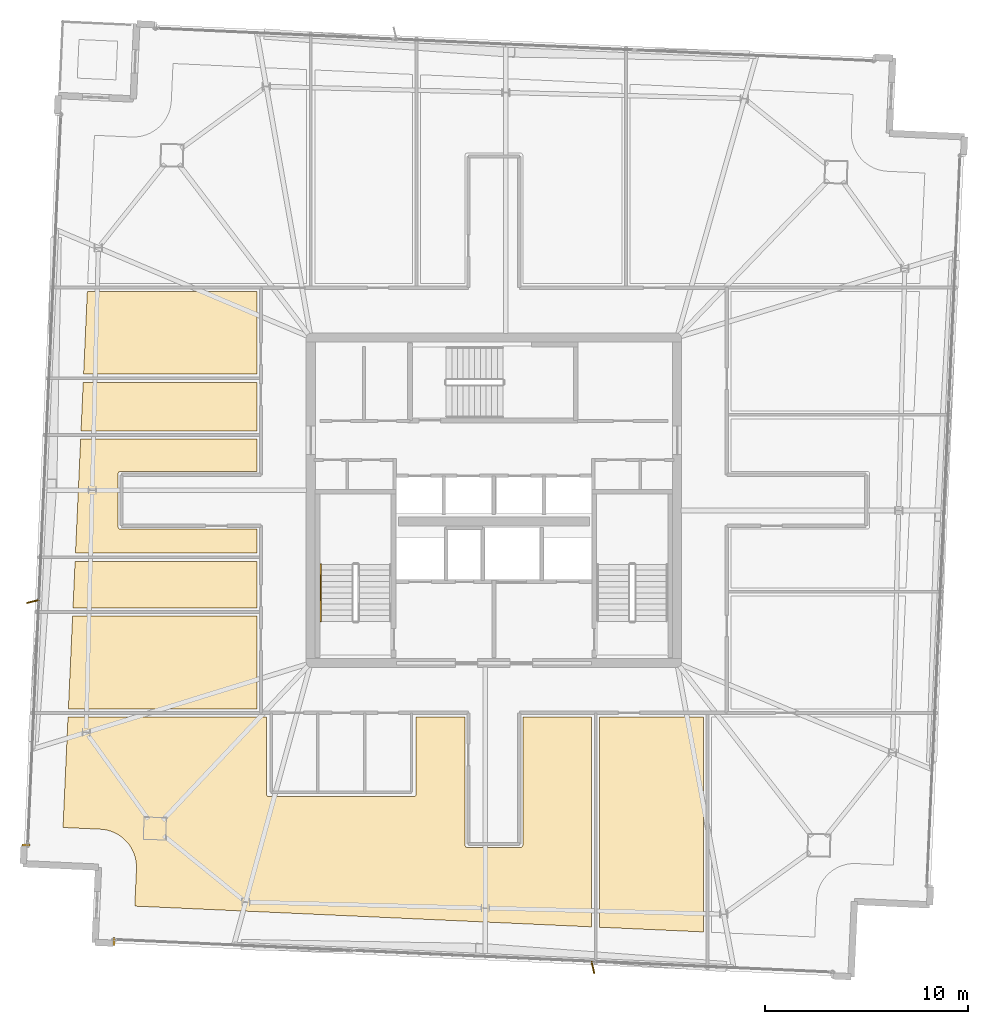
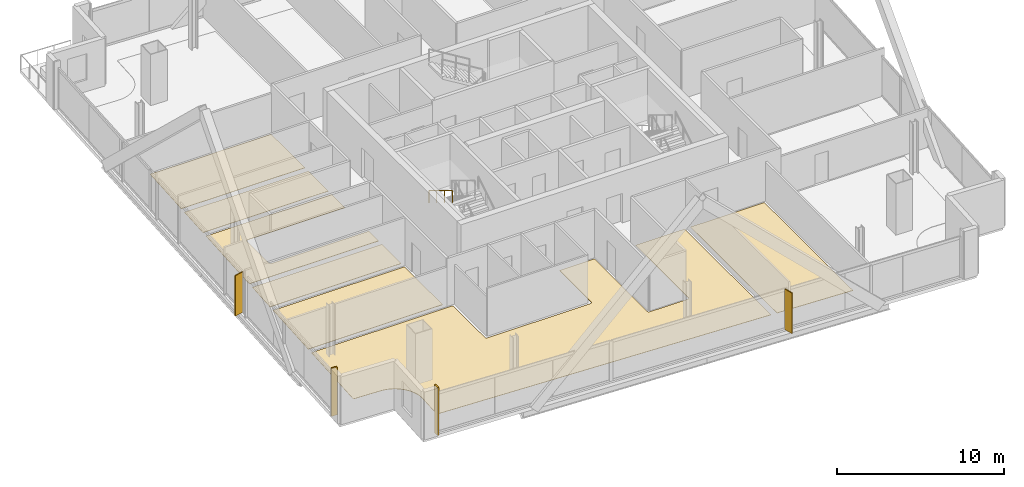
# One storey, part 24 of 26: 9 coverings, 2 shading devices, 1 railing.
"""IFC4 building model written with IfcOpenShell, lengths in metres."""

from ifc_helpers import new_model, si_unit, direction, frame, origin, origin_2d, place, context, subcontext, project, spatial, polyline, rectangle, outline, extrude, source, transform, mapped, material, layer, layer_set, type_object, element, save


model = new_model("IFC4")

# Units and contexts
model_context = context("Model", 3, precision=1e-05, world=origin(), true_north=direction((0.0, 1.0)))
body_context = subcontext(model_context, "Body", "Model", "MODEL_VIEW")
ifc_project = project(units=[si_unit("LENGTHUNIT", "METRE"), si_unit("AREAUNIT", "SQUARE_METRE"), si_unit("VOLUMEUNIT", "CUBIC_METRE"), si_unit("PLANEANGLEUNIT", "RADIAN"), si_unit("MASSUNIT", "GRAM", prefix="KILO")], contexts=[model_context])

# Site, building, storey
site_placement = place(None, origin())
site = spatial("IfcSite", under=ifc_project, at=site_placement, CompositionType="ELEMENT")
building_placement = place(site_placement, origin())
building = spatial("IfcBuilding", under=site, at=building_placement, Name="Haldenkirk Collegiate Tower", CompositionType="ELEMENT")
storey_placement = place(building_placement, frame((0.0, 0.0, 321.449951171875)))
storey = spatial("IfcBuildingStorey", under=building, at=storey_placement, Name="L81", CompositionType="ELEMENT", Elevation=321.449951171875)

# Coverings
ifc_material_1 = material(Name="Polished collegiate terrazzo", Category="concrete")
ifc_layer_1 = layer(ifc_material_1, 0.02490234375)
ifc_layer_set_1 = layer_set([ifc_layer_1], Name="Polished collegiate terrazzo")
covering_type_1 = type_object("IfcCoveringType", Name="COV-FLOOR-TERRAZZO", PredefinedType="FLOORING", material=ifc_layer_set_1)
covering_1_placement = place(storey_placement, origin())
element("IfcCovering", 1, at=covering_1_placement, inside=storey, type_object=covering_type_1, Name="L81 academic room finish 02", PredefinedType="FLOORING", context=body_context, shape_type="SweptSolid", body=[
    extrude(outline(polyline([(41.199951171875, 5.012451171875), (41.199951171875, 15.35009765625), (46.300048828125, 15.35009765625), (46.300048828125, 4.781005859375), (41.199951171875, 5.012451171875)])), origin(), (0.0, 0.0, 1.0), 0.025146484375),
])
covering_2_placement = place(storey_placement, origin())
element("IfcCovering", 2, at=covering_2_placement, inside=storey, type_object=covering_type_1, Name="L81 academic room finish 08", PredefinedType="FLOORING", context=body_context, shape_type="SweptSolid", body=[
    extrude(outline(polyline([(15.2900390625, 20.300048828125), (24.35009765625, 20.300048828125), (24.35009765625, 15.75), (15.08349609375, 15.75), (15.2900390625, 20.300048828125)])), origin(), (0.0, 0.0, 1.0), 0.025146484375),
])
covering_3_placement = place(storey_placement, origin())
element("IfcCovering", 3, at=covering_3_placement, inside=storey, type_object=covering_type_1, Name="L81 academic room finish 10", PredefinedType="FLOORING", context=body_context, shape_type="SweptSolid", body=[
    extrude(outline(polyline([(17.64990234375, 27.419921875), (17.63818359375, 27.41943359375), (17.626708984375, 27.417724609375), (17.615234375, 27.414794921875), (17.60400390625, 27.410888671875), (17.593505859375, 27.40576171875), (17.583251953125, 27.39990234375), (17.573974609375, 27.392822265625), (17.565185546875, 27.385009765625), (17.55712890625, 27.376220703125), (17.55029296875, 27.36669921875), (17.544189453125, 27.356689453125), (17.5390625, 27.345947265625), (17.53515625, 27.334716796875), (17.5322265625, 27.323486328125), (17.530517578125, 27.311767578125), (17.530029296875, 27.300048828125), (17.530029296875, 24.699951171875), (17.530517578125, 24.688232421875), (17.5322265625, 24.676513671875), (17.53515625, 24.665283203125), (17.5390625, 24.654052734375), (17.544189453125, 24.643310546875), (17.55029296875, 24.63330078125), (17.55712890625, 24.623779296875), (17.565185546875, 24.614990234375), (17.573974609375, 24.607177734375), (17.583251953125, 24.60009765625), (17.593505859375, 24.59423828125), (17.60400390625, 24.589111328125), (17.615234375, 24.585205078125), (17.626708984375, 24.582275390625), (17.63818359375, 24.58056640625), (17.64990234375, 24.580078125), (24.35009765625, 24.580078125), (24.35009765625, 23.39990234375), (15.430908203125, 23.39990234375), (15.685302734375, 29.0), (24.35009765625, 29.0), (24.35009765625, 27.419921875), (17.64990234375, 27.419921875)])), origin(), (0.0, 0.0, 1.0), 0.025146484375),
])
covering_4_placement = place(storey_placement, origin())
element("IfcCovering", 4, at=covering_4_placement, inside=storey, type_object=covering_type_1, Name="L81 academic room finish 12", PredefinedType="FLOORING", context=body_context, shape_type="SweptSolid", body=[
    extrude(outline(polyline([(16.014404296875, 36.25), (24.35009765625, 36.25), (24.35009765625, 32.199951171875), (15.83056640625, 32.199951171875), (16.014404296875, 36.25)])), origin(), (0.0, 0.0, 1.0), 0.025146484375),
])
ifc_material_2 = material(Name="Engineered collegiate oak acoustic flooring", Category="wood")
ifc_layer_2 = layer(ifc_material_2, 0.02197265625)
ifc_layer_set_2 = layer_set([ifc_layer_2], Name="Engineered collegiate oak acoustic flooring")
covering_type_2 = type_object("IfcCoveringType", Name="COV-FLOOR-TIMBER", PredefinedType="FLOORING", material=ifc_layer_set_2)
covering_5_placement = place(storey_placement, origin())
element("IfcCovering", 5, at=covering_5_placement, inside=storey, type_object=covering_type_2, Name="L81 academic room finish 01", PredefinedType="FLOORING", context=body_context, shape_type="SweptSolid", body=[
    extrude(outline(polyline([(18.3466796875, 6.05029296875), (18.429931640625, 7.87841796875), (18.429931640625, 7.88427734375), (18.429443359375, 8.055908203125), (18.4287109375, 8.067626953125), (18.411376953125, 8.238525390625), (18.409423828125, 8.250244140625), (18.37548828125, 8.41845703125), (18.37255859375, 8.429931640625), (18.322021484375, 8.593994140625), (18.318115234375, 8.60498046875), (18.251708984375, 8.763671875), (18.24658203125, 8.7744140625), (18.1650390625, 8.92529296875), (18.1591796875, 8.935302734375), (18.063232421875, 9.077880859375), (18.055908203125, 9.08740234375), (17.946533203125, 9.2197265625), (17.938720703125, 9.228515625), (17.816650390625, 9.349365234375), (17.80810546875, 9.357177734375), (17.6748046875, 9.4658203125), (17.665283203125, 9.472900390625), (17.522216796875, 9.567626953125), (17.51220703125, 9.573486328125), (17.3603515625, 9.65380859375), (17.349853515625, 9.658935546875), (17.19091796875, 9.72412109375), (17.1796875, 9.72802734375), (17.01513671875, 9.77734375), (17.003662109375, 9.780029296875), (16.835205078125, 9.81298828125), (16.823486328125, 9.814697265625), (16.652587890625, 9.830810546875), (16.646484375, 9.831298828125), (14.818603515625, 9.914306640625), (15.0654296875, 15.35009765625), (24.830078125, 15.35009765625), (24.830078125, 11.550048828125), (24.83056640625, 11.5380859375), (24.832275390625, 11.526611328125), (24.835205078125, 11.51513671875), (24.839111328125, 11.504150390625), (24.84423828125, 11.493408203125), (24.85009765625, 11.4833984375), (24.857177734375, 11.473876953125), (24.864990234375, 11.465087890625), (24.873779296875, 11.457275390625), (24.88330078125, 11.4501953125), (24.893310546875, 11.444091796875), (24.904052734375, 11.439208984375), (24.915283203125, 11.435302734375), (24.926513671875, 11.432373046875), (24.938232421875, 11.4306640625), (24.949951171875, 11.429931640625), (32.050048828125, 11.429931640625), (32.061767578125, 11.4306640625), (32.073486328125, 11.432373046875), (32.084716796875, 11.435302734375), (32.095947265625, 11.439208984375), (32.106689453125, 11.444091796875), (32.11669921875, 11.4501953125), (32.126220703125, 11.457275390625), (32.135009765625, 11.465087890625), (32.142822265625, 11.473876953125), (32.14990234375, 11.4833984375), (32.15576171875, 11.493408203125), (32.160888671875, 11.504150390625), (32.164794921875, 11.51513671875), (32.167724609375, 11.526611328125), (32.16943359375, 11.5380859375), (32.169921875, 11.550048828125), (32.169921875, 15.35009765625), (34.580078125, 15.35009765625), (34.580078125, 9.050048828125), (34.58056640625, 9.0380859375), (34.582275390625, 9.026611328125), (34.585205078125, 9.01513671875), (34.589111328125, 9.004150390625), (34.59423828125, 8.993408203125), (34.60009765625, 8.9833984375), (34.607177734375, 8.973876953125), (34.614990234375, 8.965087890625), (34.623779296875, 8.957275390625), (34.63330078125, 8.9501953125), (34.643310546875, 8.944091796875), (34.654052734375, 8.939208984375), (34.665283203125, 8.935302734375), (34.676513671875, 8.932373046875), (34.688232421875, 8.9306640625), (34.699951171875, 8.929931640625), (37.300048828125, 8.929931640625), (37.311767578125, 8.9306640625), (37.323486328125, 8.932373046875), (37.334716796875, 8.935302734375), (37.345947265625, 8.939208984375), (37.356689453125, 8.944091796875), (37.36669921875, 8.9501953125), (37.376220703125, 8.957275390625), (37.385009765625, 8.965087890625), (37.392822265625, 8.973876953125), (37.39990234375, 8.9833984375), (37.40576171875, 8.993408203125), (37.410888671875, 9.004150390625), (37.414794921875, 9.01513671875), (37.417724609375, 9.026611328125), (37.41943359375, 9.0380859375), (37.419921875, 9.050048828125), (37.419921875, 15.35009765625), (40.800048828125, 15.35009765625), (40.800048828125, 5.03076171875), (18.3466796875, 6.05029296875)])), origin(), (0.0, 0.0, 1.0), 0.02197265625),
])
covering_6_placement = place(storey_placement, origin())
element("IfcCovering", 6, at=covering_6_placement, inside=storey, type_object=covering_type_2, Name="L81 academic room finish 09", PredefinedType="FLOORING", context=body_context, shape_type="SweptSolid", body=[
    extrude(outline(polyline([(15.41259765625, 23.0), (24.35009765625, 23.0), (24.35009765625, 20.699951171875), (15.308349609375, 20.699951171875), (15.41259765625, 23.0)])), origin(), (0.0, 0.0, 1.0), 0.02197265625),
])
covering_7_placement = place(storey_placement, origin())
element("IfcCovering", 7, at=covering_7_placement, inside=storey, type_object=covering_type_2, Name="L81 academic room finish 11", PredefinedType="FLOORING", context=body_context, shape_type="SweptSolid", body=[
    extrude(outline(polyline([(15.812255859375, 31.800048828125), (24.35009765625, 31.800048828125), (24.35009765625, 29.39990234375), (15.703369140625, 29.39990234375), (15.812255859375, 31.800048828125)])), origin(), (0.0, 0.0, 1.0), 0.02197265625),
])

# Railing
ifc_material_3 = material(Name="Painted architectural tubular steel", Category="steel")
railing_type = type_object("IfcRailingType", Name="RLG-STAIR-HANDRAIL-900", PredefinedType="HANDRAIL", material=ifc_material_3)
railing_placement = place(storey_placement, frame((27.5, 22.85009765625, 2.04541015625)))
element("IfcRailing", 8, at=railing_placement, inside=storey, type_object=railing_type, Name="L81 ST-1 stair handrail 2", PredefinedType="HANDRAIL", context=body_context, shape_type="SweptSolid", body=[
    extrude(rectangle(XDim=0.048095703125, YDim=0.048095703125, at=origin_2d()), frame((0.0, 0.0, 0.8759765625), z_axis=(0.0, -0.854169791009, 0.51999420009), x_axis=(1.0, 0.0, 0.0)), (0.0, 0.0, 1.0), 3.278076171875),
    extrude(rectangle(XDim=0.0419921875, YDim=0.0419921875, at=origin_2d()), origin(), (0.0, 0.0, 1.0), 0.851806640625),
    extrude(rectangle(XDim=0.0419921875, YDim=0.0419921875, at=origin_2d()), frame((0.0, -0.933349609375, 0.568115234375)), (0.0, 0.0, 1.0), 0.851806640625),
    extrude(rectangle(XDim=0.0419921875, YDim=0.0419921875, at=origin_2d()), frame((0.0, -1.86669921875, 1.136474609375)), (0.0, 0.0, 1.0), 0.851806640625),
    extrude(rectangle(XDim=0.0419921875, YDim=0.0419921875, at=origin_2d()), frame((0.0, -2.800048828125, 1.70458984375)), (0.0, 0.0, 1.0), 0.851806640625),
])

# Coverings
ifc_material_4 = material(Name="Anodised architectural bronze aluminium", Category="aluminium")
ifc_layer_3 = layer(ifc_material_4, 0.06005859375)
ifc_layer_set_3 = layer_set([ifc_layer_3], Name="Anodised architectural bronze aluminium")
covering_type_3 = type_object("IfcCoveringType", Name="COV-CLAD-BRONZE-60", PredefinedType="CLADDING", material=ifc_layer_set_3)
shared_shape_1 = source(origin(), body_context, "Body", "SweptSolid", [
    extrude(rectangle(XDim=0.10009765625, YDim=0.3798828125, at=origin_2d()), origin(), (0.0, 0.0, 1.0), 3.489990234375),
])
for number, where, z_axis, x_axis, name in (
    (9, (12.997802734375, 9.05615234375, 0.0), (0.0, 0.0, 1.0), (0.045362988129, 0.998970569791, 0.0), "L81 recessed curtain-wall bronze jamb closure NJL"),
    (10, (17.3271484375, 4.314697265625, 0.0), (0.0, 0.0, 1.0), (-0.998970569791, 0.045362988129, 0.0), "L81 recessed curtain-wall bronze jamb closure WJR"),
):
    element("IfcCovering", number, at=place(storey_placement, frame(where, z_axis=z_axis, x_axis=x_axis)), inside=storey, type_object=covering_type_3, Name=name, PredefinedType="CLADDING", context=body_context, shape_type="MappedRepresentation", body=[
        mapped(shared_shape_1, transform((0.0, 0.0, 0.0), x_axis=(1.0, 0.0, 0.0), y_axis=(0.0, 1.0, 0.0), z_axis=(0.0, 0.0, 1.0), scale=1.0)),
    ])

# Shading devices
ifc_layer_4 = layer(ifc_material_4, 0.06494140625)
ifc_layer_set_4 = layer_set([ifc_layer_4], Name="Anodised architectural bronze aluminium")
shading_device_type = type_object("IfcShadingDeviceType", Name="SHD-FIN-BRONZE-620", PredefinedType="USERDEFINED", material=ifc_layer_set_4)
shared_shape_2 = source(origin(), body_context, "Body", "SweptSolid", [
    extrude(rectangle(XDim=0.6201171875, YDim=0.06494140625, at=origin_2d()), origin(), (0.0, 0.0, 1.0), 2.947998046875),
])
for number, where, z_axis, x_axis, name in (
    (11, (13.3359375, 21.02294921875, 0.0), (0.0, 0.0, 1.0), (-0.972775878209, -0.231747903494, 0.0), "L81 folded bronze solar fin 1"),
    (12, (40.863525390625, 3.040771484375, 0.0), (0.0, 0.0, 1.0), (0.231747903494, -0.972775878209, 0.0), "L81 folded bronze solar fin 1"),
):
    element("IfcShadingDevice", number, at=place(storey_placement, frame(where, z_axis=z_axis, x_axis=x_axis)), inside=storey, type_object=shading_device_type, Name=name, ObjectType="FIN", PredefinedType="USERDEFINED", context=body_context, shape_type="MappedRepresentation", body=[
        mapped(shared_shape_2, transform((0.0, 0.0, 0.0), x_axis=(1.0, 0.0, 0.0), y_axis=(0.0, 1.0, 0.0), z_axis=(0.0, 0.0, 1.0), scale=1.0)),
    ])

save(model, "model.ifc")
